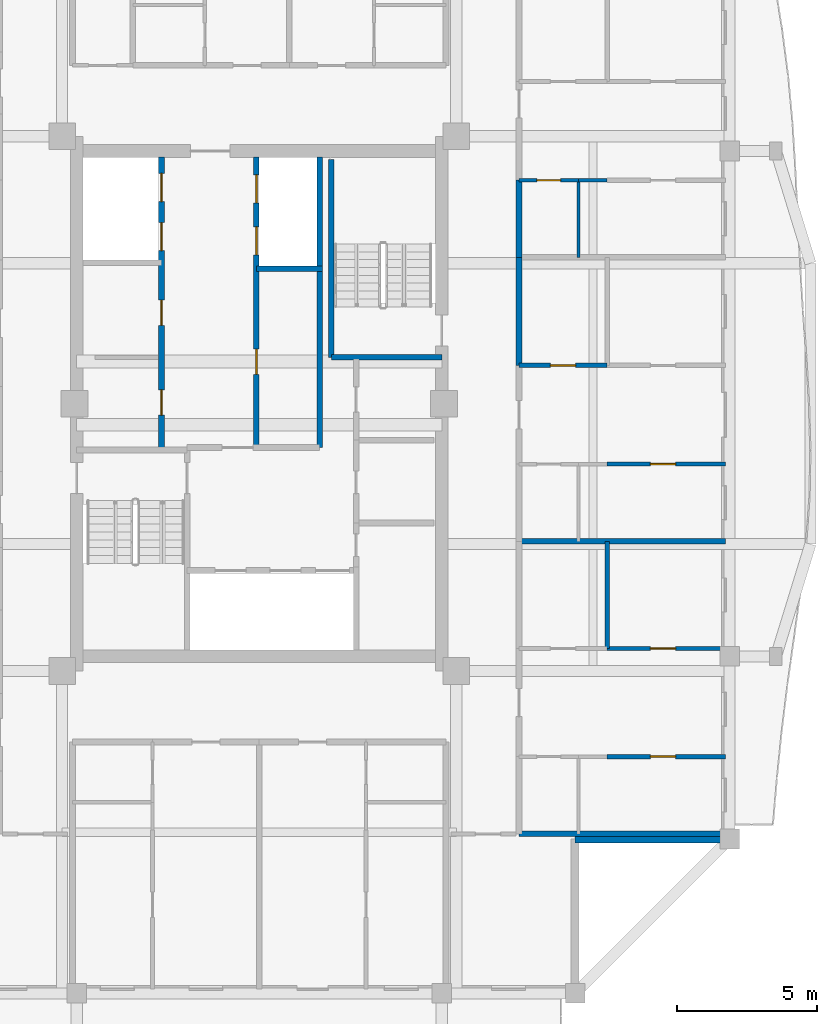
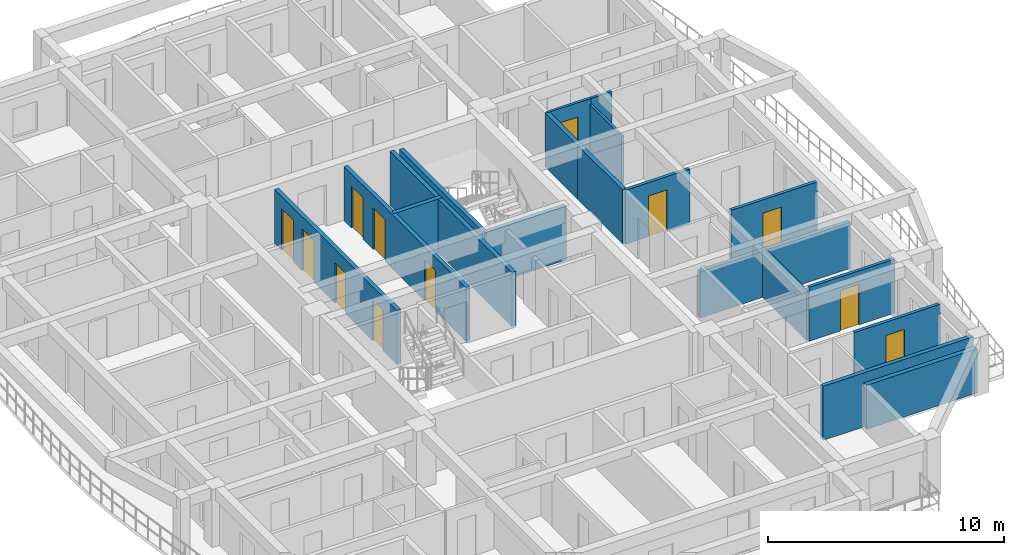
# One storey, part 5 of 14: 20 walls, 12 doors, 12 openings.
"""IFC4 building model written with IfcOpenShell, lengths in metres."""

import ifcopenshell
import ifcopenshell.guid

model = None  # the IFC model being written
_history = None  # IfcOwnerHistory: only IFC2X3 demands one
_inside = {}  # id of a spatial element -> (the spatial element, [elements in it])
_under = {}  # id of a project, library or spatial element -> (it, [spatial elements below it])
_declared = {}  # id of a project -> (the project, [libraries it declares])
_typed = {}  # id of a type object -> (the type object, [elements of that type])
_made_of = {}  # id of a material, layer set ... -> (it, [elements and type objects made of it])


def new_model(schema):
    """Start an empty IFC model of exactly this schema.

    Asked for "IFC4X3", IfcOpenShell would pick the latest addendum, in which some entities
    have other attributes; the version numbers below select the first issue.
    IFC2X3 requires an IfcOwnerHistory on every rooted entity: one is made here for all.
    """
    global model, _history
    if schema == "IFC4X3":
        model = ifcopenshell.file(schema_version=(4, 3, 0, 0))
    else:
        model = ifcopenshell.file(schema=schema)
    _inside.clear()
    _under.clear()
    _declared.clear()
    _typed.clear()
    _made_of.clear()
    _history = None
    if model.schema == "IFC2X3":
        org = make("IfcOrganization", Name="unknown")
        user = make(
            "IfcPersonAndOrganization",
            ThePerson=make("IfcPerson", FamilyName="unknown"),
            TheOrganization=org,
        )
        app = make(
            "IfcApplication",
            ApplicationDeveloper=org,
            Version="unknown",
            ApplicationFullName="unknown",
            ApplicationIdentifier="unknown",
        )
        _history = make(
            "IfcOwnerHistory",
            OwningUser=user,
            OwningApplication=app,
            ChangeAction="ADDED",
            CreationDate=0,
        )
    return model


def make(cls, **values):
    """One entity of the class cls with the attributes given. An attribute that is None is left unset."""
    return model.create_entity(
        cls, **{name: value for name, value in values.items() if value is not None}
    )


def rooted(cls, **values):
    """An entity with a GlobalId (a new one), such as an element, a storey or a relation."""
    return make(cls, GlobalId=ifcopenshell.guid.new(), OwnerHistory=_history, **values)


def si_unit(unit_type, name, prefix=None):
    """IfcSIUnit, for example si_unit("LENGTHUNIT", "METRE", prefix="MILLI")."""
    return make("IfcSIUnit", UnitType=unit_type, Prefix=prefix, Name=name)


def assignment(units):
    """IfcUnitAssignment: the units of a project."""
    return None if units is None else make("IfcUnitAssignment", Units=units)


def point(xyz):
    """IfcCartesianPoint."""
    return None if xyz is None else make("IfcCartesianPoint", Coordinates=xyz)


def direction(xyz):
    """IfcDirection."""
    return None if xyz is None else make("IfcDirection", DirectionRatios=xyz)


def frame(location, z_axis=None, x_axis=None):
    """IfcAxis2Placement3D, a coordinate frame: its origin and axes. An axis left out is left unset."""
    return make(
        "IfcAxis2Placement3D",
        Location=point(location),
        Axis=direction(z_axis),
        RefDirection=direction(x_axis),
    )


def frame_2d(location, x_axis=None):
    """IfcAxis2Placement2D, a coordinate frame in the plane: its origin and x axis."""
    return make(
        "IfcAxis2Placement2D", Location=point(location), RefDirection=direction(x_axis)
    )


def origin():
    """The frame at (0, 0, 0) with its axes left unset."""
    return frame((0.0, 0.0, 0.0))


def place(relative_to, where):
    """IfcLocalPlacement: puts the frame where relative to a parent placement (None: the world)."""
    return make(
        "IfcLocalPlacement", PlacementRelTo=relative_to, RelativePlacement=where
    )


def context(
    kind, dimensions, precision=None, world=None, true_north=None, identifier=None
):
    """IfcGeometricRepresentationContext, for example the 3D "Model" context."""
    return make(
        "IfcGeometricRepresentationContext",
        ContextIdentifier=identifier,
        ContextType=kind,
        CoordinateSpaceDimension=dimensions,
        Precision=precision,
        WorldCoordinateSystem=world,
        TrueNorth=true_north,
    )


def subcontext(parent, identifier, kind, view, scale=None):
    """IfcGeometricRepresentationSubContext, for example "Body" below "Model"."""
    return make(
        "IfcGeometricRepresentationSubContext",
        ContextIdentifier=identifier,
        ContextType=kind,
        ParentContext=parent,
        TargetScale=scale,
        TargetView=view,
    )


def project(units=None, contexts=None):
    """IfcProject with its units and contexts."""
    return rooted(
        "IfcProject",
        Name="project",
        RepresentationContexts=contexts,
        UnitsInContext=assignment(units),
    )


def spatial(cls, under=None, at=None, **own):
    """A site, building, storey or space (cls), placed at a placement, below another one or the project."""
    s = rooted(cls, ObjectPlacement=at, **own)
    if under is not None:
        _under.setdefault(under.id(), (under, []))[1].append(s)
    return s


def profile(cls, at=None, kind="AREA", **sizes):
    """A parametric profile (cls). Its sizes go by their IFC names, for example OverallWidth=200.0."""
    return make(cls, ProfileType=kind, Position=at, **sizes)


def rectangle(**sizes):
    """IfcRectangleProfileDef."""
    return profile("IfcRectangleProfileDef", **sizes)


def extrude(swept, where, along, depth):
    """IfcExtrudedAreaSolid: the profile swept, set in the frame where, extruded along a direction by depth."""
    return make(
        "IfcExtrudedAreaSolid",
        SweptArea=swept,
        Position=where,
        ExtrudedDirection=direction(along),
        Depth=depth,
    )


def shape(context_of_items, identifier, shape_type, items):
    """IfcShapeRepresentation: the items that make up one representation, for example the "Body"."""
    return make(
        "IfcShapeRepresentation",
        ContextOfItems=context_of_items,
        RepresentationIdentifier=identifier,
        RepresentationType=shape_type,
        Items=items,
    )


def source(mapping_origin, context_of_items, identifier, shape_type, items):
    """IfcRepresentationMap: a shape defined once, which mapped items show again and again."""
    return make(
        "IfcRepresentationMap",
        MappingOrigin=mapping_origin,
        MappedRepresentation=shape(context_of_items, identifier, shape_type, items),
    )


def transform(
    local_origin,
    x_axis=None,
    y_axis=None,
    z_axis=None,
    scale=None,
    scale2=None,
    scale3=None,
    uniform=True,
):
    """IfcCartesianTransformationOperator3D, or its non-uniform kind. x_axis, y_axis, z_axis: its Axis1, 2, 3."""
    if uniform:
        return make(
            "IfcCartesianTransformationOperator3D",
            Axis1=direction(x_axis),
            Axis2=direction(y_axis),
            LocalOrigin=point(local_origin),
            Scale=scale,
            Axis3=direction(z_axis),
        )
    return make(
        "IfcCartesianTransformationOperator3DnonUniform",
        Axis1=direction(x_axis),
        Axis2=direction(y_axis),
        LocalOrigin=point(local_origin),
        Scale=scale,
        Axis3=direction(z_axis),
        Scale2=scale2,
        Scale3=scale3,
    )


def mapped(mapping_source, mapping_target):
    """IfcMappedItem: shows the shape of a source again, moved by a transform."""
    return make(
        "IfcMappedItem", MappingSource=mapping_source, MappingTarget=mapping_target
    )


def material(Name=None, Category=None):
    """IfcMaterial."""
    return make("IfcMaterial", Name=Name, Category=Category)


def layer(
    of_material, thickness, ventilated=None, Name=None, Category=None, Priority=None
):
    """IfcMaterialLayer: one layer of a wall or slab, of a material (None: an air gap)."""
    return make(
        "IfcMaterialLayer",
        Material=of_material,
        LayerThickness=thickness,
        IsVentilated=ventilated,
        Name=Name,
        Category=Category,
        Priority=Priority,
    )


def layer_set(layers, Name=None):
    """IfcMaterialLayerSet."""
    return make("IfcMaterialLayerSet", MaterialLayers=layers, LayerSetName=Name)


def made_of(thing, what):
    """Note that an element or type object is made of a material, layer set ...; save() writes the relation."""
    if what is not None:
        _made_of.setdefault(what.id(), (what, []))[1].append(thing)
    return thing


def type_object(cls, material=None, **own):
    """A type object (cls), such as IfcWallType, which elements share."""
    return made_of(rooted(cls, **own), material)


def element(
    cls,
    number,
    at=None,
    inside=None,
    cuts=None,
    type_object=None,
    material=None,
    context=None,
    identifier="Body",
    shape_type=None,
    held_by="IfcProductDefinitionShape",
    body=None,
    shapes=None,
    **own,
):
    """One element of the class cls, such as IfcWall. Its Tag is "e" and its number.

    at: its placement. inside: the storey or other place that contains it. cuts: it is an
    opening in that element (IfcRelVoidsElement). A single representation is given by context,
    identifier, shape_type and body (its items); several are given by shapes. held_by: the class
    of the entity that holds the representations. save() writes the other relations.
    """
    e = rooted(cls, Tag="e%d" % number, ObjectPlacement=at, **own)
    if body is not None:
        shapes = [shape(context, identifier, shape_type, body)]
    if shapes is not None:
        e.Representation = make(held_by, Representations=shapes)
    if inside is not None:
        _inside.setdefault(inside.id(), (inside, []))[1].append(e)
    if cuts is not None:
        rooted(
            "IfcRelVoidsElement", RelatingBuildingElement=cuts, RelatedOpeningElement=e
        )
    if type_object is not None:
        _typed.setdefault(type_object.id(), (type_object, []))[1].append(e)
    return made_of(e, material)


def fill(opening, filler):
    """IfcRelFillsElement: the door or window that sits in an opening."""
    return rooted(
        "IfcRelFillsElement",
        RelatingOpeningElement=opening,
        RelatedBuildingElement=filler,
    )


def aggregate(whole, parts):
    """IfcRelAggregates: a whole, such as a stair, and the parts it consists of."""
    return rooted("IfcRelAggregates", RelatingObject=whole, RelatedObjects=parts)


def save(model, path):
    """Write the relations noted so far, then the file.

    IfcRelAggregates (storeys below a building ...), IfcRelContainedInSpatialStructure (elements
    in a storey), IfcRelDefinesByType, IfcRelAssociatesMaterial and IfcRelDeclares: one each for
    every whole, place, type object, material and project.
    """
    for whole, parts in _under.values():
        aggregate(whole, parts)
    for where, things in _inside.values():
        rooted(
            "IfcRelContainedInSpatialStructure",
            RelatedElements=things,
            RelatingStructure=where,
        )
    for kind, things in _typed.values():
        rooted("IfcRelDefinesByType", RelatedObjects=things, RelatingType=kind)
    for what, things in _made_of.values():
        rooted("IfcRelAssociatesMaterial", RelatedObjects=things, RelatingMaterial=what)
    for by, libraries in _declared.values():
        rooted("IfcRelDeclares", RelatingContext=by, RelatedDefinitions=libraries)
    model.write(path)


model = new_model("IFC4")

# Units and contexts
model_context = context("Model", 3, precision=1e-05, world=origin(), true_north=direction((0.0, 1.0)))
body_context = subcontext(model_context, "Body", "Model", "MODEL_VIEW")
ifc_project = project(units=[si_unit("LENGTHUNIT", "METRE"), si_unit("AREAUNIT", "SQUARE_METRE"), si_unit("VOLUMEUNIT", "CUBIC_METRE"), si_unit("PLANEANGLEUNIT", "RADIAN"), si_unit("MASSUNIT", "GRAM", prefix="KILO")], contexts=[model_context])

# Site, building, storey
site_placement = place(None, origin())
site = spatial("IfcSite", under=ifc_project, at=site_placement, CompositionType="ELEMENT")
building_placement = place(site_placement, origin())
building = spatial("IfcBuilding", under=site, at=building_placement, Name="Saelheon Loggia Tower", CompositionType="ELEMENT")
storey_placement = place(building_placement, frame((0.0, 0.0, 233.10009765625)))
storey = spatial("IfcBuildingStorey", under=building, at=storey_placement, Name="L72", CompositionType="ELEMENT", Elevation=233.10009765625)

# Walls
ifc_material_1 = material(Name="Architectural Precast Concrete C40/50", Category="concrete")
ifc_layer_1 = layer(ifc_material_1, 0.280029296875)
ifc_layer_set_1 = layer_set([ifc_layer_1], Name="Architectural Precast Concrete C40/50")
wall_type_1 = type_object("IfcWallType", Name="Wall_Ext_Loggia_280", PredefinedType="SOLIDWALL", material=ifc_layer_set_1)
wall_1_placement = place(storey_placement, frame((49.25, 11.5, 0.0), z_axis=(0.0, 0.0, 1.0), x_axis=(1.0, 0.0, 0.0)))
element("IfcWall", 1, at=wall_1_placement, inside=storey, type_object=wall_type_1, Name="L72 Corner Notch Precast Wall SE2", PredefinedType="SOLIDWALL", context=body_context, shape_type="SweptSolid", body=[
    extrude(rectangle(XDim=5.419921875, YDim=0.280029296875, at=frame_2d((2.7099609375, 0.0))), origin(), (0.0, 0.0, 1.0), 2.27978515625),
])
ifc_material_2 = material(Name="Lightweight Autoclaved Aerated Concrete Block and Acoustic Gypsum", Category="concrete")
ifc_layer_2 = layer(ifc_material_2, 0.14990234375)
ifc_layer_set_2 = layer_set([ifc_layer_2], Name="Lightweight Autoclaved Aerated Concrete Block and Acoustic Gypsum")
wall_type_2 = type_object("IfcWallType", Name="Wall_Part_150", PredefinedType="PARTITIONING", material=ifc_layer_set_2)
wall_2_placement = place(storey_placement, frame((50.389892578125, 18.280029296875, 0.0), z_axis=(0.0, 0.0, 1.0), x_axis=(0.0, 1.0, 0.0)))
element("IfcWall", 2, at=wall_2_placement, inside=storey, type_object=wall_type_2, Name="L72 E Partition V07", PredefinedType="PARTITIONING", context=body_context, shape_type="SweptSolid", body=[
    extrude(rectangle(XDim=3.817626953125, YDim=0.14990234375, at=frame_2d((1.90869140625, 0.0))), origin(), (0.0, 0.0, 1.0), 2.489990234375),
])

# Wall, opening, door
wall_3_placement = place(storey_placement, frame((50.389892578125, 14.429931640625, 0.0), z_axis=(0.0, 0.0, 1.0), x_axis=(1.0, 0.0, 0.0)))
wall_3 = element("IfcWall", 3, at=wall_3_placement, inside=storey, type_object=wall_type_2, Name="L72 E Partition U10", PredefinedType="PARTITIONING", context=body_context, shape_type="SweptSolid", body=[
    extrude(rectangle(XDim=4.210205078125, YDim=0.14990234375, at=frame_2d((2.10498046875, 0.0))), origin(), (0.0, 0.0, 1.0), 2.789794921875),
])
opening_1_placement = place(wall_3_placement, frame((1.537109375, 0.0, 0.0)))
opening_1 = element("IfcOpeningElement", 4, at=opening_1_placement, cuts=wall_3, Name="Opening D-IN2", PredefinedType="OPENING", context=body_context, shape_type="SweptSolid", body=[
    extrude(rectangle(XDim=0.89990234375, YDim=2.10009765625, at=frame_2d((0.449951171875, 1.050048828125))), frame((0.0, 0.0869140625, 0.0), z_axis=(0.0, -1.0, 0.0), x_axis=(1.0, 0.0, 0.0)), (0.0, 0.0, 1.0), 0.173828125),
])
ifc_material_3 = material(Name="Engineered Oak Flush Door", Category="timber")
door_type_1 = type_object("IfcDoorType", Name="Door_Int_900", OperationType="NOTDEFINED", PredefinedType="DOOR", material=ifc_material_3)
shared_shape_1 = source(origin(), body_context, "Body", "SweptSolid", [
    extrude(rectangle(XDim=0.89990234375, YDim=2.10009765625, at=frame_2d((0.449951171875, 1.050048828125))), frame((0.0, 0.02490234375, 0.0), z_axis=(0.0, -1.0, 0.0), x_axis=(1.0, 0.0, 0.0)), (0.0, 0.0, 1.0), 0.050048828125),
])
door_1_placement = place(opening_1_placement, origin())
door_1 = element("IfcDoor", 5, at=door_1_placement, inside=storey, type_object=door_type_1, Name="Unit U09 Kitchen Door", OperationType="SINGLE_SWING_RIGHT", OverallHeight=2.10009765625, OverallWidth=0.89990234375, PredefinedType="DOOR", context=body_context, shape_type="MappedRepresentation", body=[
    mapped(shared_shape_1, transform((0.0, 0.0, 0.0), scale=1.0)),
])
fill(opening_1, door_1)

wall_4_placement = place(storey_placement, frame((50.389892578125, 18.280029296875, 0.0), z_axis=(0.0, 0.0, 1.0), x_axis=(1.0, 0.0, 0.0)))
wall_4 = element("IfcWall", 6, at=wall_4_placement, inside=storey, type_object=wall_type_2, Name="L72 E Partition U12", PredefinedType="PARTITIONING", context=body_context, shape_type="SweptSolid", body=[
    extrude(rectangle(XDim=4.210205078125, YDim=0.14990234375, at=frame_2d((2.10498046875, 0.0))), origin(), (0.0, 0.0, 1.0), 2.789794921875),
])
opening_2_placement = place(wall_4_placement, frame((1.537109375, 0.0, 0.0)))
opening_2 = element("IfcOpeningElement", 7, at=opening_2_placement, cuts=wall_4, Name="Opening D-IN2", PredefinedType="OPENING", context=body_context, shape_type="SweptSolid", body=[
    extrude(rectangle(XDim=0.89990234375, YDim=2.10009765625, at=frame_2d((0.449951171875, 1.050048828125))), frame((0.0, 0.0869140625, 0.0), z_axis=(0.0, -1.0, 0.0), x_axis=(1.0, 0.0, 0.0)), (0.0, 0.0, 1.0), 0.173828125),
])
door_2_placement = place(opening_2_placement, origin())
door_2 = element("IfcDoor", 8, at=door_2_placement, inside=storey, type_object=door_type_1, Name="Unit U09 Bedroom 1 Door", OperationType="SINGLE_SWING_RIGHT", OverallHeight=2.10009765625, OverallWidth=0.89990234375, PredefinedType="DOOR", context=body_context, shape_type="MappedRepresentation", body=[
    mapped(shared_shape_1, transform((0.0, 0.0, 0.0), scale=1.0)),
])
fill(opening_2, door_2)

wall_5_placement = place(storey_placement, frame((50.389892578125, 24.84765625, 0.0), z_axis=(0.0, 0.0, 1.0), x_axis=(1.0, 0.0, 0.0)))
wall_5 = element("IfcWall", 9, at=wall_5_placement, inside=storey, type_object=wall_type_2, Name="L72 E Partition U21", PredefinedType="PARTITIONING", context=body_context, shape_type="SweptSolid", body=[
    extrude(rectangle(XDim=4.210205078125, YDim=0.14990234375, at=frame_2d((2.10498046875, 0.0))), origin(), (0.0, 0.0, 1.0), 2.789794921875),
])
opening_3_placement = place(wall_5_placement, frame((1.537109375, 0.0, 0.0)))
opening_3 = element("IfcOpeningElement", 10, at=opening_3_placement, cuts=wall_5, Name="Opening D-IN2", PredefinedType="OPENING", context=body_context, shape_type="SweptSolid", body=[
    extrude(rectangle(XDim=0.89990234375, YDim=2.10009765625, at=frame_2d((0.449951171875, 1.050048828125))), frame((0.0, 0.0869140625, 0.0), z_axis=(0.0, -1.0, 0.0), x_axis=(1.0, 0.0, 0.0)), (0.0, 0.0, 1.0), 0.173828125),
])
door_3_placement = place(opening_3_placement, origin())
door_3 = element("IfcDoor", 11, at=door_3_placement, inside=storey, type_object=door_type_1, Name="Unit U10 Kitchen Door", OperationType="SINGLE_SWING_LEFT", OverallHeight=2.10009765625, OverallWidth=0.89990234375, PredefinedType="DOOR", context=body_context, shape_type="MappedRepresentation", body=[
    mapped(shared_shape_1, transform((0.0, 0.0, 0.0), scale=1.0)),
])
fill(opening_3, door_3)

wall_6_placement = place(storey_placement, frame((47.25, 28.366455078125, 0.0), z_axis=(0.0, 0.0, 1.0), x_axis=(1.0, 0.0, 0.0)))
wall_6 = element("IfcWall", 12, at=wall_6_placement, inside=storey, type_object=wall_type_2, Name="L72 E Partition U22", PredefinedType="PARTITIONING", context=body_context, shape_type="SweptSolid", body=[
    extrude(rectangle(XDim=3.139892578125, YDim=0.14990234375, at=frame_2d((1.56982421875, 0.0))), origin(), (0.0, 0.0, 1.0), 2.789794921875),
])
opening_4_placement = place(wall_6_placement, frame((1.1201171875, 0.0, 0.0)))
opening_4 = element("IfcOpeningElement", 13, at=opening_4_placement, cuts=wall_6, Name="Opening D-IN2", PredefinedType="OPENING", context=body_context, shape_type="SweptSolid", body=[
    extrude(rectangle(XDim=0.89990234375, YDim=2.10009765625, at=frame_2d((0.449951171875, 1.050048828125))), frame((0.0, 0.0869140625, 0.0), z_axis=(0.0, -1.0, 0.0), x_axis=(1.0, 0.0, 0.0)), (0.0, 0.0, 1.0), 0.173828125),
])
door_4_placement = place(opening_4_placement, origin())
door_4 = element("IfcDoor", 14, at=door_4_placement, inside=storey, type_object=door_type_1, Name="Unit U10 Private Study Door", OperationType="SINGLE_SWING_RIGHT", OverallHeight=2.10009765625, OverallWidth=0.89990234375, PredefinedType="DOOR", context=body_context, shape_type="MappedRepresentation", body=[
    mapped(shared_shape_1, transform((0.0, 0.0, 0.0), scale=1.0)),
])
fill(opening_4, door_4)

# Walls
ifc_material_4 = material(Name="Double Acoustic Stud and Fireboard Partition", Category="gypsum")
ifc_layer_3 = layer(ifc_material_4, 0.199951171875)
ifc_layer_set_3 = layer_set([ifc_layer_3], Name="Double Acoustic Stud and Fireboard Partition")
wall_type_3 = type_object("IfcWallType", Name="Wall_Party_200", PredefinedType="PARTITIONING", material=ifc_layer_set_3)
wall_7_placement = place(storey_placement, frame((47.25, 11.679931640625, 0.0), z_axis=(0.0, 0.0, 1.0), x_axis=(1.0, 0.0, 0.0)))
element("IfcWall", 15, at=wall_7_placement, inside=storey, type_object=wall_type_3, Name="L72 E Partition U01", PredefinedType="PARTITIONING", context=body_context, shape_type="SweptSolid", body=[
    extrude(rectangle(XDim=7.35009765625, YDim=0.199951171875, at=frame_2d((3.675048828125, 0.0))), origin(), (0.0, 0.0, 1.0), 2.789794921875),
])
wall_8_placement = place(storey_placement, frame((47.25, 22.09765625, 0.0), z_axis=(0.0, 0.0, 1.0), x_axis=(1.0, 0.0, 0.0)))
element("IfcWall", 16, at=wall_8_placement, inside=storey, type_object=wall_type_3, Name="L72 E Partition U13", PredefinedType="PARTITIONING", context=body_context, shape_type="SweptSolid", body=[
    extrude(rectangle(XDim=7.35009765625, YDim=0.199951171875, at=frame_2d((3.675048828125, 0.0))), origin(), (0.0, 0.0, 1.0), 2.389892578125),
])
wall_9_placement = place(storey_placement, frame((47.25, 28.366455078125, 0.0), z_axis=(0.0, 0.0, 1.0), x_axis=(0.0, 1.0, 0.0)))
element("IfcWall", 17, at=wall_9_placement, inside=storey, type_object=wall_type_3, Name="L72 E Partition V16", PredefinedType="PARTITIONING", context=body_context, shape_type="SweptSolid", body=[
    extrude(rectangle(XDim=3.84228515625, YDim=0.199951171875, at=frame_2d((1.921142578125, 0.0))), origin(), (0.0, 0.0, 1.0), 2.789794921875),
])
wall_10_placement = place(storey_placement, frame((47.25, 32.208740234375, 0.0), z_axis=(0.0, 0.0, 1.0), x_axis=(0.0, 1.0, 0.0)))
element("IfcWall", 18, at=wall_10_placement, inside=storey, type_object=wall_type_3, Name="L72 E Partition V25", PredefinedType="PARTITIONING", context=body_context, shape_type="SweptSolid", body=[
    extrude(rectangle(XDim=2.75, YDim=0.199951171875, at=frame_2d((1.375, 0.0))), origin(), (0.0, 0.0, 1.0), 2.789794921875),
])
ifc_material_5 = material(Name="Concrete C40/50", Category="concrete")
ifc_layer_4 = layer(ifc_material_5, 0.199951171875)
ifc_layer_set_4 = layer_set([ifc_layer_4], Name="Concrete C40/50")
wall_type_4 = type_object("IfcWallType", Name="Wall_Shaft_200", PredefinedType="PARTITIONING", material=ifc_layer_set_4)
wall_11_placement = place(storey_placement, frame((40.14990234375, 25.43994140625, 0.0), z_axis=(0.0, 0.0, 1.0), x_axis=(0.0, 1.0, 0.0)))
element("IfcWall", 19, at=wall_11_placement, inside=storey, type_object=wall_type_4, Name="L72 Core Service Passage West Wall", PredefinedType="PARTITIONING", context=body_context, shape_type="SweptSolid", body=[
    extrude(rectangle(XDim=6.360107421875, YDim=0.199951171875, at=frame_2d((3.18017578125, 0.0))), origin(), (0.0, 0.0, 1.0), 2.789794921875),
])
wall_12_placement = place(storey_placement, frame((40.14990234375, 31.800048828125, 0.0), z_axis=(0.0, 0.0, 1.0), x_axis=(0.0, 1.0, 0.0)))
element("IfcWall", 20, at=wall_12_placement, inside=storey, type_object=wall_type_4, Name="L72 East High-Rise Hoistway East Wall", PredefinedType="PARTITIONING", context=body_context, shape_type="SweptSolid", body=[
    extrude(rectangle(XDim=3.97998046875, YDim=0.199951171875, at=frame_2d((1.989990234375, 0.0))), origin(), (0.0, 0.0, 1.0), 2.789794921875),
])

# Wall, openings, doors
wall_13_placement = place(storey_placement, frame((34.52001953125, 25.43994140625, 0.0), z_axis=(0.0, 0.0, 1.0), x_axis=(0.0, 1.0, 0.0)))
wall_13 = element("IfcWall", 21, at=wall_13_placement, inside=storey, type_object=wall_type_4, Name="L72 West Passenger Lift Bank Wall", PredefinedType="PARTITIONING", context=body_context, shape_type="SweptSolid", body=[
    extrude(rectangle(XDim=10.340087890625, YDim=0.199951171875, at=frame_2d((5.169921875, 0.0))), origin(), (0.0, 0.0, 1.0), 2.789794921875),
])
opening_5_placement = place(wall_13_placement, frame((1.14990234375, 0.0, 0.0)))
opening_5 = element("IfcOpeningElement", 22, at=opening_5_placement, cuts=wall_13, Name="Opening D-RS1", PredefinedType="OPENING", context=body_context, shape_type="SweptSolid", body=[
    extrude(rectangle(XDim=0.89990234375, YDim=2.10009765625, at=frame_2d((0.449951171875, 1.050048828125))), frame((0.0, 0.112060546875, 0.0), z_axis=(0.0, -1.0, 0.0), x_axis=(1.0, 0.0, 0.0)), (0.0, 0.0, 1.0), 0.223876953125),
])
opening_6_placement = place(wall_13_placement, frame((4.35009765625, 0.0, 0.0)))
opening_6 = element("IfcOpeningElement", 23, at=opening_6_placement, cuts=wall_13, Name="Opening D-RS1", PredefinedType="OPENING", context=body_context, shape_type="SweptSolid", body=[
    extrude(rectangle(XDim=0.89990234375, YDim=2.10009765625, at=frame_2d((0.449951171875, 1.050048828125))), frame((0.0, 0.112060546875, 0.0), z_axis=(0.0, -1.0, 0.0), x_axis=(1.0, 0.0, 0.0)), (0.0, 0.0, 1.0), 0.223876953125),
])
opening_7_placement = place(wall_13_placement, frame((7.010009765625, 0.0, 0.0)))
opening_7 = element("IfcOpeningElement", 24, at=opening_7_placement, cuts=wall_13, Name="Opening LD1", PredefinedType="OPENING", context=body_context, shape_type="SweptSolid", body=[
    extrude(rectangle(XDim=1.0, YDim=2.14990234375, at=frame_2d((0.5, 1.074951171875))), frame((0.0, 0.112060546875, 0.0), z_axis=(0.0, -1.0, 0.0), x_axis=(1.0, 0.0, 0.0)), (0.0, 0.0, 1.0), 0.223876953125),
])
opening_8_placement = place(wall_13_placement, frame((8.760009765625, 0.0, 0.0)))
opening_8 = element("IfcOpeningElement", 25, at=opening_8_placement, cuts=wall_13, Name="Opening LD1", PredefinedType="OPENING", context=body_context, shape_type="SweptSolid", body=[
    extrude(rectangle(XDim=1.0, YDim=2.14990234375, at=frame_2d((0.5, 1.074951171875))), frame((0.0, 0.112060546875, 0.0), z_axis=(0.0, -1.0, 0.0), x_axis=(1.0, 0.0, 0.0)), (0.0, 0.0, 1.0), 0.223876953125),
])
ifc_material_6 = material(Name="Galvanised Steel Riser Access Door", Category="steel")
door_type_2 = type_object("IfcDoorType", Name="Door_Riser_FD60", OperationType="NOTDEFINED", PredefinedType="DOOR", material=ifc_material_6)
door_5_placement = place(opening_5_placement, origin())
door_5 = element("IfcDoor", 26, at=door_5_placement, inside=storey, type_object=door_type_2, Name="L72 Parcel Store Door", OperationType="SINGLE_SWING_RIGHT", OverallHeight=2.10009765625, OverallWidth=0.89990234375, PredefinedType="DOOR", context=body_context, shape_type="MappedRepresentation", body=[
    mapped(shared_shape_1, transform((0.0, 0.0, 0.0), scale=1.0)),
])
fill(opening_5, door_5)
door_6_placement = place(opening_6_placement, origin())
door_6 = element("IfcDoor", 27, at=door_6_placement, inside=storey, type_object=door_type_2, Name="L72 Smart Metering Door", OperationType="SINGLE_SWING_LEFT", OverallHeight=2.10009765625, OverallWidth=0.89990234375, PredefinedType="DOOR", context=body_context, shape_type="MappedRepresentation", body=[
    mapped(shared_shape_1, transform((0.0, 0.0, 0.0), scale=1.0)),
])
fill(opening_6, door_6)
ifc_material_7 = material(Name="Brushed Stainless Steel 304 Landing Door", Category="steel")
door_type_3 = type_object("IfcDoorType", Name="Door_Lift_LD1", OperationType="DOUBLE_DOOR_SLIDING", PredefinedType="DOOR", material=ifc_material_7)
shared_shape_2 = source(origin(), body_context, "Body", "SweptSolid", [
    extrude(rectangle(XDim=1.0, YDim=2.14990234375, at=frame_2d((0.5, 1.074951171875))), frame((0.0, 0.02490234375, 0.0), z_axis=(0.0, -1.0, 0.0), x_axis=(1.0, 0.0, 0.0)), (0.0, 0.0, 1.0), 0.050048828125),
])
door_7_placement = place(opening_7_placement, origin())
door_7 = element("IfcDoor", 28, at=door_7_placement, inside=storey, type_object=door_type_3, Name="L72 PH1 Landing Door", OperationType="DOUBLE_DOOR_SLIDING", OverallHeight=2.14990234375, OverallWidth=1.0, PredefinedType="DOOR", context=body_context, shape_type="MappedRepresentation", body=[
    mapped(shared_shape_2, transform((0.0, 0.0, 0.0), scale=1.0)),
])
fill(opening_7, door_7)
door_8_placement = place(opening_8_placement, origin())
door_8 = element("IfcDoor", 29, at=door_8_placement, inside=storey, type_object=door_type_3, Name="L72 PH2 Landing Door", OperationType="DOUBLE_DOOR_SLIDING", OverallHeight=2.14990234375, OverallWidth=1.0, PredefinedType="DOOR", context=body_context, shape_type="MappedRepresentation", body=[
    mapped(shared_shape_2, transform((0.0, 0.0, 0.0), scale=1.0)),
])
fill(opening_8, door_8)

wall_14_placement = place(storey_placement, frame((37.89990234375, 25.43994140625, 0.0), z_axis=(0.0, 0.0, 1.0), x_axis=(0.0, 1.0, 0.0)))
wall_14 = element("IfcWall", 30, at=wall_14_placement, inside=storey, type_object=wall_type_4, Name="L72 East Passenger Lift Bank Wall", PredefinedType="PARTITIONING", context=body_context, shape_type="SweptSolid", body=[
    extrude(rectangle(XDim=10.340087890625, YDim=0.199951171875, at=frame_2d((5.169921875, 0.0))), origin(), (0.0, 0.0, 1.0), 2.789794921875),
])
opening_9_placement = place(wall_14_placement, frame((2.60009765625, 0.0, 0.0)))
opening_9 = element("IfcOpeningElement", 31, at=opening_9_placement, cuts=wall_14, Name="Opening D-RS1", PredefinedType="OPENING", context=body_context, shape_type="SweptSolid", body=[
    extrude(rectangle(XDim=0.89990234375, YDim=2.10009765625, at=frame_2d((0.449951171875, 1.050048828125))), frame((0.0, 0.112060546875, 0.0), z_axis=(0.0, -1.0, 0.0), x_axis=(1.0, 0.0, 0.0)), (0.0, 0.0, 1.0), 0.223876953125),
])
opening_10_placement = place(wall_14_placement, frame((6.860107421875, 0.0, 0.0)))
opening_10 = element("IfcOpeningElement", 32, at=opening_10_placement, cuts=wall_14, Name="Opening LD1", PredefinedType="OPENING", context=body_context, shape_type="SweptSolid", body=[
    extrude(rectangle(XDim=1.0, YDim=2.14990234375, at=frame_2d((0.5, 1.074951171875))), frame((0.0, 0.112060546875, 0.0), z_axis=(0.0, -1.0, 0.0), x_axis=(1.0, 0.0, 0.0)), (0.0, 0.0, 1.0), 0.223876953125),
])
opening_11_placement = place(wall_14_placement, frame((8.7099609375, 0.0, 0.0)))
opening_11 = element("IfcOpeningElement", 33, at=opening_11_placement, cuts=wall_14, Name="Opening LD1", PredefinedType="OPENING", context=body_context, shape_type="SweptSolid", body=[
    extrude(rectangle(XDim=1.0, YDim=2.14990234375, at=frame_2d((0.5, 1.074951171875))), frame((0.0, 0.112060546875, 0.0), z_axis=(0.0, -1.0, 0.0), x_axis=(1.0, 0.0, 0.0)), (0.0, 0.0, 1.0), 0.223876953125),
])
door_9_placement = place(opening_9_placement, origin())
door_9 = element("IfcDoor", 34, at=door_9_placement, inside=storey, type_object=door_type_2, Name="L72 Upper Storage Room Door", OperationType="SINGLE_SWING_RIGHT", OverallHeight=2.10009765625, OverallWidth=0.89990234375, PredefinedType="DOOR", context=body_context, shape_type="MappedRepresentation", body=[
    mapped(shared_shape_1, transform((0.0, 0.0, 0.0), scale=1.0)),
])
fill(opening_9, door_9)
door_10_placement = place(opening_10_placement, origin())
door_10 = element("IfcDoor", 35, at=door_10_placement, inside=storey, type_object=door_type_3, Name="L72 PH3 Landing Door", OperationType="DOUBLE_DOOR_SLIDING", OverallHeight=2.14990234375, OverallWidth=1.0, PredefinedType="DOOR", context=body_context, shape_type="MappedRepresentation", body=[
    mapped(shared_shape_2, transform((0.0, 0.0, 0.0), scale=1.0)),
])
fill(opening_10, door_10)
door_11_placement = place(opening_11_placement, origin())
door_11 = element("IfcDoor", 36, at=door_11_placement, inside=storey, type_object=door_type_3, Name="L72 PH4 Landing Door", OperationType="DOUBLE_DOOR_SLIDING", OverallHeight=2.14990234375, OverallWidth=1.0, PredefinedType="DOOR", context=body_context, shape_type="MappedRepresentation", body=[
    mapped(shared_shape_2, transform((0.0, 0.0, 0.0), scale=1.0)),
])
fill(opening_11, door_11)

# Walls
wall_15_placement = place(storey_placement, frame((37.89990234375, 31.800048828125, 0.0), z_axis=(0.0, 0.0, 1.0), x_axis=(1.0, 0.0, 0.0)))
element("IfcWall", 37, at=wall_15_placement, inside=storey, type_object=wall_type_4, Name="L72 East High-Rise Shaft Divider", PredefinedType="PARTITIONING", context=body_context, shape_type="SweptSolid", body=[
    extrude(rectangle(XDim=2.35009765625, YDim=0.199951171875, at=frame_2d((1.175048828125, 0.0))), origin(), (0.0, 0.0, 1.0), 2.789794921875),
])
ifc_material_8 = material(Name="Concrete C45/55", Category="concrete")
ifc_layer_5 = layer(ifc_material_8, 0.199951171875)
ifc_layer_set_5 = layer_set([ifc_layer_5], Name="Concrete C45/55")
wall_type_5 = type_object("IfcWallType", Name="Wall_StairShaft_RC200", PredefinedType="SOLIDWALL", material=ifc_layer_set_5)
wall_16_placement = place(storey_placement, frame((40.570068359375, 28.64990234375, 0.0), z_axis=(0.0, 0.0, 1.0), x_axis=(0.0, 1.0, 0.0)))
element("IfcWall", 38, at=wall_16_placement, inside=storey, type_object=wall_type_5, Name="L72 Stair ST2 Shaft Wall", PredefinedType="SOLIDWALL", context=body_context, shape_type="SweptSolid", body=[
    extrude(rectangle(XDim=7.050048828125, YDim=0.199951171875, at=frame_2d((3.52490234375, 0.0))), origin(), (0.0, 0.0, 1.0), 2.789794921875),
])
wall_17_placement = place(storey_placement, frame((40.570068359375, 28.64990234375, 0.0), z_axis=(0.0, 0.0, 1.0), x_axis=(1.0, 0.0, 0.0)))
element("IfcWall", 39, at=wall_17_placement, inside=storey, type_object=wall_type_5, Name="L72 Stair ST2 South Wall", PredefinedType="SOLIDWALL", context=body_context, shape_type="SweptSolid", body=[
    extrude(rectangle(XDim=3.929931640625, YDim=0.199951171875, at=frame_2d((1.96484375, 0.0))), origin(), (0.0, 0.0, 1.0), 2.789794921875),
])
ifc_material_9 = material(Name="Moisture-Resistant Cement Board Partition", Category="gypsum")
ifc_layer_6 = layer(ifc_material_9, 0.1201171875)
ifc_layer_set_6 = layer_set([ifc_layer_6], Name="Moisture-Resistant Cement Board Partition")
wall_type_6 = type_object("IfcWallType", Name="Wall_WetPart_120", PredefinedType="PARTITIONING", material=ifc_layer_set_6)
wall_18_placement = place(storey_placement, frame((49.3701171875, 32.208740234375, 0.0), z_axis=(0.0, 0.0, 1.0), x_axis=(0.0, 1.0, 0.0)))
element("IfcWall", 40, at=wall_18_placement, inside=storey, type_object=wall_type_6, Name="L72 E Partition V28", PredefinedType="PARTITIONING", context=body_context, shape_type="SweptSolid", body=[
    extrude(rectangle(XDim=2.75, YDim=0.1201171875, at=frame_2d((1.375, 0.0))), origin(), (0.0, 0.0, 1.0), 2.489990234375),
])

# Wall, opening, door
wall_19_placement = place(storey_placement, frame((47.25, 34.958740234375, 0.0), z_axis=(0.0, 0.0, 1.0), x_axis=(1.0, 0.0, 0.0)))
wall_19 = element("IfcWall", 41, at=wall_19_placement, inside=storey, type_object=wall_type_6, Name="L72 E Partition U30", PredefinedType="PARTITIONING", context=body_context, shape_type="SweptSolid", body=[
    extrude(rectangle(XDim=2.1201171875, YDim=0.1201171875, at=frame_2d((1.06005859375, 0.0))), origin(), (0.0, 0.0, 1.0), 2.789794921875),
])
opening_12_placement = place(wall_19_placement, frame((0.635009765625, 0.0, 0.0)))
opening_12 = element("IfcOpeningElement", 42, at=opening_12_placement, cuts=wall_19, Name="Opening D-BT1", PredefinedType="OPENING", context=body_context, shape_type="SweptSolid", body=[
    extrude(rectangle(XDim=0.85009765625, YDim=2.050048828125, at=frame_2d((0.425048828125, 1.02490234375))), frame((0.0, 0.072021484375, 0.0), z_axis=(0.0, -1.0, 0.0), x_axis=(1.0, 0.0, 0.0)), (0.0, 0.0, 1.0), 0.14404296875),
])
ifc_material_10 = material(Name="Moisture-Resistant Laminate Timber Door", Category="wood")
door_type_4 = type_object("IfcDoorType", Name="Door_Bath_850", OperationType="NOTDEFINED", PredefinedType="DOOR", material=ifc_material_10)
shared_shape_3 = source(origin(), body_context, "Body", "SweptSolid", [
    extrude(rectangle(XDim=0.85009765625, YDim=2.050048828125, at=frame_2d((0.425048828125, 1.02490234375))), frame((0.0, 0.02490234375, 0.0), z_axis=(0.0, -1.0, 0.0), x_axis=(1.0, 0.0, 0.0)), (0.0, 0.0, 1.0), 0.050048828125),
])
door_12_placement = place(opening_12_placement, origin())
door_12 = element("IfcDoor", 43, at=door_12_placement, inside=storey, type_object=door_type_4, Name="Unit U11 Bathroom Door", OperationType="SINGLE_SWING_LEFT", OverallHeight=2.050048828125, OverallWidth=0.85009765625, PredefinedType="DOOR", context=body_context, shape_type="MappedRepresentation", body=[
    mapped(shared_shape_3, transform((0.0, 0.0, 0.0), scale=1.0)),
])
fill(opening_12, door_12)

# Wall
wall_20_placement = place(storey_placement, frame((49.3701171875, 34.958740234375, 0.0), z_axis=(0.0, 0.0, 1.0), x_axis=(1.0, 0.0, 0.0)))
element("IfcWall", 44, at=wall_20_placement, inside=storey, type_object=wall_type_6, Name="L72 E Partition U31", PredefinedType="PARTITIONING", context=body_context, shape_type="SweptSolid", body=[
    extrude(rectangle(XDim=1.019775390625, YDim=0.1201171875, at=frame_2d((0.509765625, 0.0))), origin(), (0.0, 0.0, 1.0), 2.789794921875),
])

save(model, "model.ifc")
